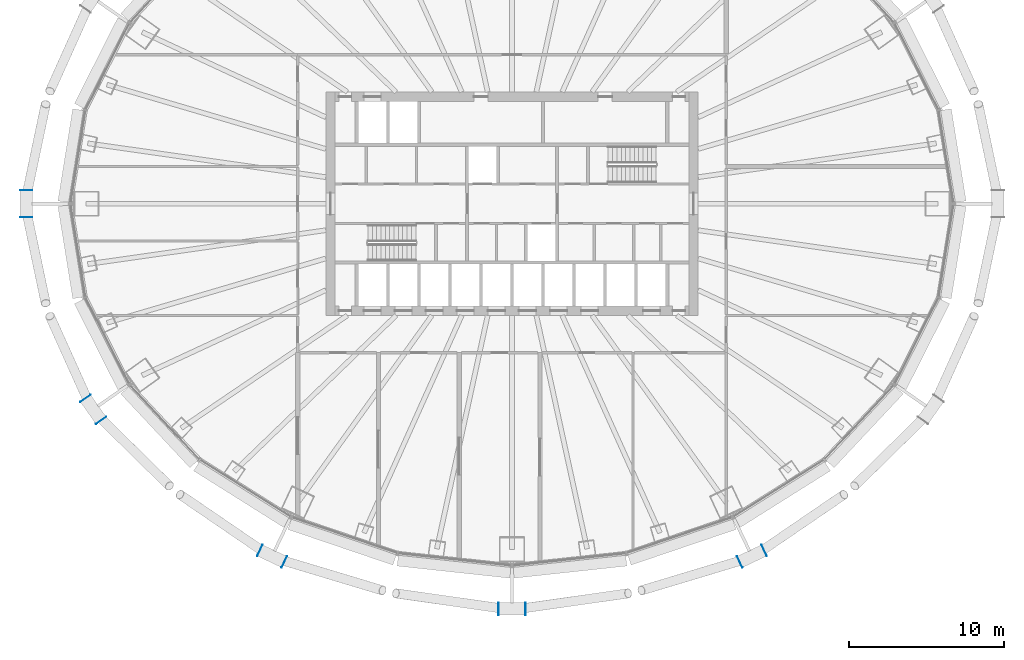
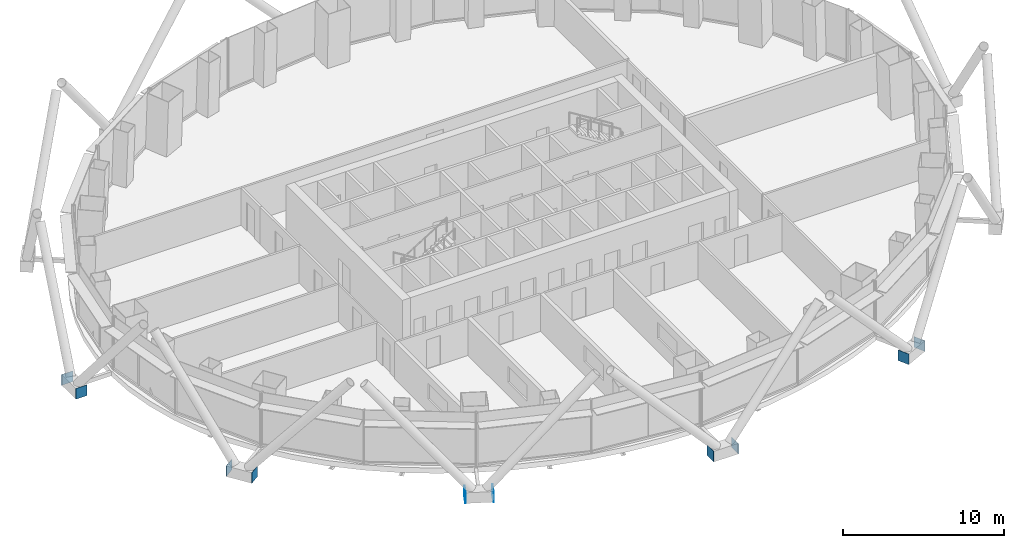
# One storey, part 10 of 16: 10 discrete accessories.
"""IFC4 building model written with IfcOpenShell, lengths in metres."""

from ifc_helpers import new_model, si_unit, direction, frame, origin, origin_2d, place, context, subcontext, project, spatial, rectangle, extrude, material, layer, layer_set, type_object, element, save


model = new_model("IFC4")

# Units and contexts
model_context = context("Model", 3, precision=1e-05, world=origin(), true_north=direction((0.0, 1.0)))
body_context = subcontext(model_context, "Body", "Model", "MODEL_VIEW")
ifc_project = project(units=[si_unit("LENGTHUNIT", "METRE"), si_unit("AREAUNIT", "SQUARE_METRE"), si_unit("VOLUMEUNIT", "CUBIC_METRE"), si_unit("PLANEANGLEUNIT", "RADIAN"), si_unit("MASSUNIT", "GRAM", prefix="KILO")], contexts=[model_context])

# Site, building, storey
site_placement = place(None, origin())
site = spatial("IfcSite", under=ifc_project, at=site_placement, CompositionType="ELEMENT")
building_placement = place(site_placement, origin())
building = spatial("IfcBuilding", under=site, at=building_placement, Name="Siaravel Broadcast Tower", CompositionType="ELEMENT")
storey_placement = place(building_placement, frame((0.0, 0.0, 28.699951171875)))
storey = spatial("IfcBuildingStorey", under=building, at=storey_placement, Name="L05", CompositionType="ELEMENT", Elevation=28.699951171875)

# Discrete accessories
ifc_material = material(Name="Steel S355", Category="steel")
ifc_layer = layer(ifc_material, 0.02001953125)
ifc_layer_set = layer_set([ifc_layer], Name="Steel S355")
discrete_accessory_type = type_object("IfcDiscreteAccessoryType", Name="Steel end plate 20 mm", PredefinedType="USERDEFINED", material=ifc_layer_set)
for number, where, z_axis, x_axis, name in (
    (1, (-31.299560546875, -0.87060546875, -0.60009765625), (0.0, 0.0, 1.0), (0.0, -1.0, 0.0), "End plate R03 station 36A"),
    (2, (-31.299560546875, 0.87060546875, -0.60009765625), (0.0, 0.0, 1.0), (0.0, -1.0, 0.0), "End plate R03 station 36B"),
    (3, (-26.47802734375, -13.96337890625, -0.60009765625), (0.0, 0.0, 1.0), (0.576119939, -0.817365167, 0.0), "End plate R03 station 42A"),
    (4, (-27.481201171875, -12.54052734375, -0.60009765625), (0.0, 0.0, 1.0), (0.576119939, -0.817365167, 0.0), "End plate R03 station 42B"),
    (5, (-14.67431640625, -23.081298828125, -0.60009765625), (0.0, 0.0, 1.0), (0.904007202, -0.427517227, 0.0), "End plate R03 station 48A"),
    (6, (-16.248291015625, -22.3369140625, -0.60009765625), (0.0, 0.0, 1.0), (0.904007202, -0.427517227, 0.0), "End plate R03 station 48B"),
    (7, (0.87060546875, -26.108154296875, -0.60009765625), (0.0, 0.0, 1.0), (1.0, 0.0, 0.0), "End plate R03 station 54A"),
    (8, (-0.87060546875, -26.108154296875, -0.60009765625), (0.0, 0.0, 1.0), (1.0, 0.0, 0.0), "End plate R03 station 54B"),
    (9, (16.248291015625, -22.3369140625, -0.60009765625), (0.0, 0.0, 1.0), (0.904007202, 0.427517227, 0.0), "End plate R03 station 60A"),
    (10, (14.67431640625, -23.081298828125, -0.60009765625), (0.0, 0.0, 1.0), (0.904007202, 0.427517227, 0.0), "End plate R03 station 60B"),
):
    element("IfcDiscreteAccessory", number, at=place(storey_placement, frame(where, z_axis=z_axis, x_axis=x_axis)), inside=storey, type_object=discrete_accessory_type, Name=name, ObjectType="END PLATE", PredefinedType="USERDEFINED", context=body_context, shape_type="SweptSolid", body=[
        extrude(rectangle(XDim=0.02001953125, YDim=0.800048828125, at=origin_2d()), origin(), (0.0, 0.0, 1.0), 0.800048828125),
    ])

save(model, "model.ifc")
